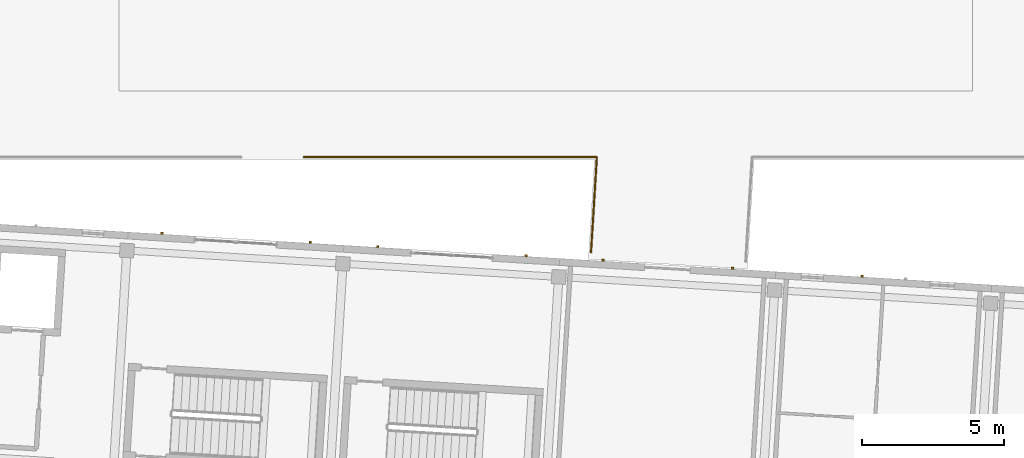
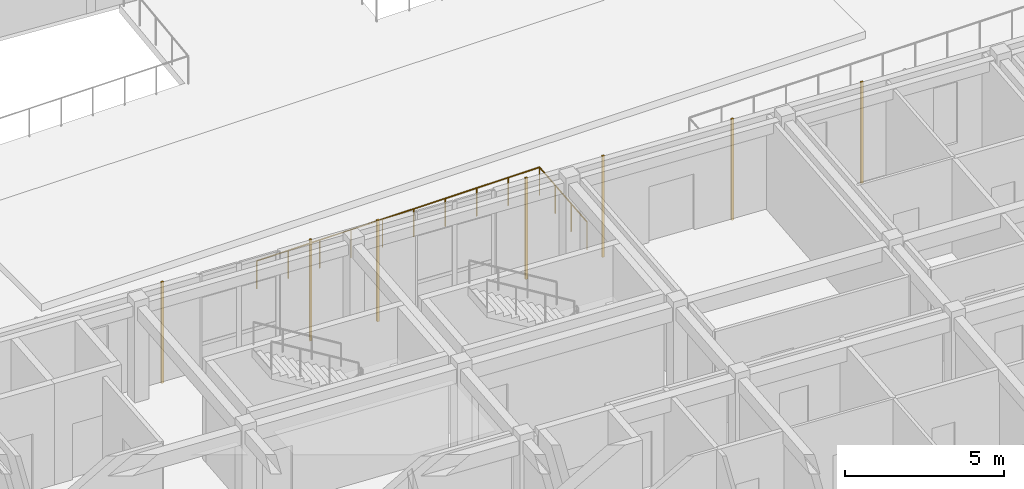
# One storey, part 130 of 150: 7 coverings, 1 railing.
"""IFC4 building model written with IfcOpenShell, lengths in metres."""

from ifc_helpers import new_model, si_unit, direction, frame, origin, origin_2d, place, context, subcontext, project, spatial, rectangle, circle, extrude, material, layer, layer_set, type_object, element, save


model = new_model("IFC4")

# Units and contexts
model_context = context("Model", 3, precision=1e-05, world=origin(), true_north=direction((0.0, 1.0)))
body_context = subcontext(model_context, "Body", "Model", "MODEL_VIEW")
ifc_project = project(units=[si_unit("LENGTHUNIT", "METRE"), si_unit("AREAUNIT", "SQUARE_METRE"), si_unit("VOLUMEUNIT", "CUBIC_METRE"), si_unit("PLANEANGLEUNIT", "RADIAN"), si_unit("MASSUNIT", "GRAM", prefix="KILO")], contexts=[model_context])

# Site, building, storey
site_placement = place(None, origin())
site = spatial("IfcSite", under=ifc_project, at=site_placement, CompositionType="ELEMENT")
building_placement = place(site_placement, origin())
building = spatial("IfcBuilding", under=site, at=building_placement, Name="Kestramere Prow Commons", CompositionType="ELEMENT")
storey_placement = place(building_placement, frame((0.0, 0.0, 4.5)))
storey = spatial("IfcBuildingStorey", under=building, at=storey_placement, Name="L01", CompositionType="ELEMENT", Elevation=4.5)

# Coverings
ifc_material_1 = material(Name="Weathered Zinc-Titanium Standing-Seam Cladding")
ifc_layer = layer(ifc_material_1, 0.074951171875)
ifc_layer_set = layer_set([ifc_layer], Name="Weathered Zinc-Titanium Standing-Seam Cladding")
covering_type = type_object("IfcCoveringType", Name="COV-CLAD-SEAM", PredefinedType="CLADDING", material=ifc_layer_set)
for number, where, z_axis, x_axis, name in (
    (1, (69.509033203125, 66.203125, -0.25), (0.0, 0.0, 1.0), (0.998134798422, -0.061048539535, 0.0), "EW-C-L01-NP-1-L Standing-Seam Rib 1"),
    (2, (74.724365234375, 65.88427734375, -0.25), (0.0, 0.0, 1.0), (0.998134798422, -0.061048539535, 0.0), "EW-C-L01-NP-1-R Standing-Seam Rib 1"),
    (3, (77.094970703125, 65.7392578125, -0.25), (0.0, 0.0, 1.0), (0.998134798422, -0.061048539535, 0.0), "EW-C-L01-NP-2-L Standing-Seam Rib 1"),
    (4, (82.31005859375, 65.420166015625, -0.25), (0.0, 0.0, 1.0), (0.998134798422, -0.061048539535, 0.0), "EW-C-L01-NP-2-R Standing-Seam Rib 1"),
    (5, (85.012451171875, 65.2548828125, -0.25), (0.0, 0.0, 1.0), (0.998134798422, -0.061048539535, 0.0), "EW-C-L01-N-3 Standing-Seam Rib 1"),
    (6, (89.56396484375, 64.9765625, -0.25), (0.0, 0.0, 1.0), (0.998134798422, -0.061048539535, 0.0), "EW-C-L01-N-3 Standing-Seam Rib 4"),
    (7, (94.115478515625, 64.6982421875, -0.25), (0.0, 0.0, 1.0), (0.998134798422, -0.061048539535, 0.0), "EW-C-L01-N-4 Standing-Seam Rib 2"),
):
    element("IfcCovering", number, at=place(storey_placement, frame(where, z_axis=z_axis, x_axis=x_axis)), inside=storey, type_object=covering_type, Name=name, PredefinedType="CLADDING", context=body_context, shape_type="SweptSolid", body=[
        extrude(rectangle(XDim=0.0849609375, YDim=0.06494140625, at=origin_2d()), origin(), (0.0, 0.0, 1.0), 3.89990234375),
    ])

# Railing
ifc_material_2 = material(Name="Powder-Coated Aluminium 6063-T6", Category="aluminium")
railing_type = type_object("IfcRailingType", Name="GRD-BALC-1100", PredefinedType="BALUSTRADE", material=ifc_material_2)
railing_placement = place(storey_placement, frame((84.5888671875, 65.533935546875, 0.0)))
element("IfcRailing", 8, at=railing_placement, inside=storey, type_object=railing_type, Name="Raised Central Courtyard Perimeter Guardrail 2", PredefinedType="BALUSTRADE", context=body_context, shape_type="SweptSolid", body=[
    extrude(circle(Radius=0.02392578125, at=origin_2d()), frame((0.0, 0.0, 1.076171875), z_axis=(0.061031581912, 0.99813583545, 0.0), x_axis=(-0.99813583545, 0.061031581912, 0.0)), (0.0, 0.0, 1.0), 3.352294921875),
    extrude(circle(Radius=0.02392578125, at=origin_2d()), frame((0.20458984375, 3.345947265625, 1.076171875), z_axis=(-1.0, 0.0, 0.0), x_axis=(0.0, -1.0, 0.0)), (0.0, 0.0, 1.0), 10.29345703125),
    extrude(circle(Radius=0.02099609375, at=origin_2d()), origin(), (0.0, 0.0, 1.0), 1.052001953125),
    extrude(circle(Radius=0.02099609375, at=origin_2d()), frame((0.068115234375, 1.115234375, 0.0)), (0.0, 0.0, 1.0), 1.052001953125),
    extrude(circle(Radius=0.02099609375, at=origin_2d()), frame((0.136474609375, 2.230712890625, 0.0)), (0.0, 0.0, 1.0), 1.052001953125),
    extrude(circle(Radius=0.02099609375, at=origin_2d()), frame((0.20458984375, 3.345947265625, 0.0)), (0.0, 0.0, 1.0), 1.052001953125),
    extrude(circle(Radius=0.02099609375, at=origin_2d()), frame((-0.939208984375, 3.345947265625, 0.0)), (0.0, 0.0, 1.0), 1.052001953125),
    extrude(circle(Radius=0.02099609375, at=origin_2d()), frame((-2.082763671875, 3.345947265625, 0.0)), (0.0, 0.0, 1.0), 1.052001953125),
    extrude(circle(Radius=0.02099609375, at=origin_2d()), frame((-3.2265625, 3.345947265625, 0.0)), (0.0, 0.0, 1.0), 1.052001953125),
    extrude(circle(Radius=0.02099609375, at=origin_2d()), frame((-4.370361328125, 3.345947265625, 0.0)), (0.0, 0.0, 1.0), 1.052001953125),
    extrude(circle(Radius=0.02099609375, at=origin_2d()), frame((-5.513916015625, 3.345947265625, 0.0)), (0.0, 0.0, 1.0), 1.052001953125),
    extrude(circle(Radius=0.02099609375, at=origin_2d()), frame((-6.65771484375, 3.345947265625, 0.0)), (0.0, 0.0, 1.0), 1.052001953125),
    extrude(circle(Radius=0.02099609375, at=origin_2d()), frame((-7.801513671875, 3.345947265625, 0.0)), (0.0, 0.0, 1.0), 1.052001953125),
    extrude(circle(Radius=0.02099609375, at=origin_2d()), frame((-8.945068359375, 3.345947265625, 0.0)), (0.0, 0.0, 1.0), 1.052001953125),
    extrude(circle(Radius=0.02099609375, at=origin_2d()), frame((-10.0888671875, 3.345947265625, 0.0)), (0.0, 0.0, 1.0), 1.052001953125),
])

save(model, "model.ifc")
